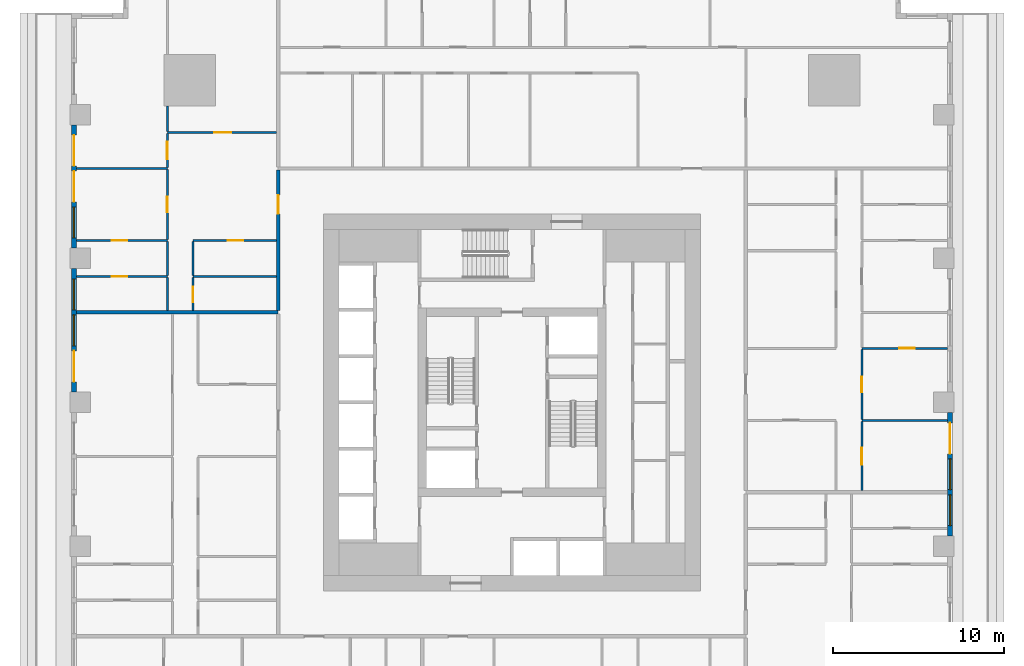
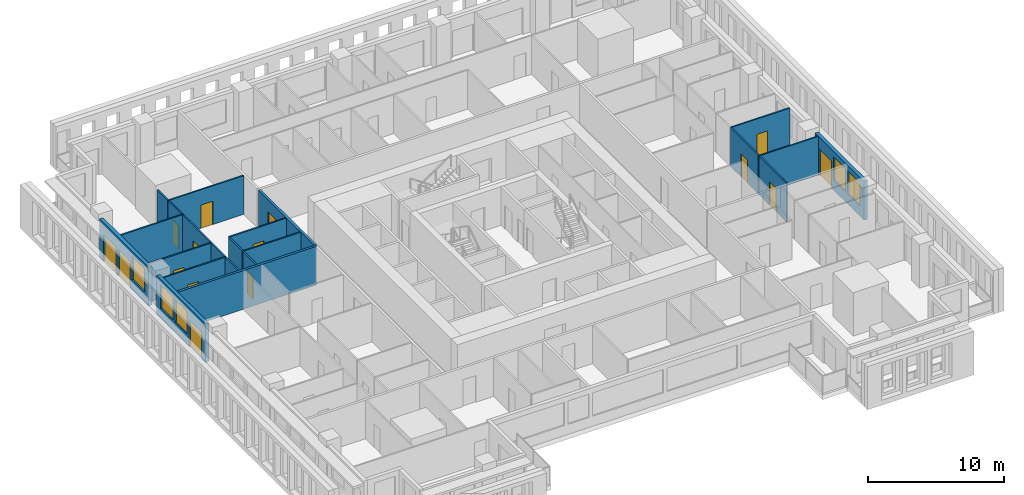
# One storey, part 6 of 14: 22 walls, 15 doors, 5 windows, 20 openings.
"""IFC4 building model written with IfcOpenShell, lengths in metres."""

from ifc_helpers import new_model, si_unit, direction, frame, frame_2d, origin, place, context, subcontext, project, spatial, rectangle, extrude, material, layer, layer_set, type_object, element, fill, save


model = new_model("IFC4")

# Units and contexts
model_context = context("Model", 3, precision=1e-05, world=origin(), true_north=direction((0.0, 1.0)))
body_context = subcontext(model_context, "Body", "Model", "MODEL_VIEW")
ifc_project = project(units=[si_unit("LENGTHUNIT", "METRE"), si_unit("AREAUNIT", "SQUARE_METRE"), si_unit("VOLUMEUNIT", "CUBIC_METRE"), si_unit("PLANEANGLEUNIT", "RADIAN"), si_unit("MASSUNIT", "GRAM", prefix="KILO")], contexts=[model_context])

# Site, building, storey
site_placement = place(None, origin())
site = spatial("IfcSite", under=ifc_project, at=site_placement, CompositionType="ELEMENT")
building_placement = place(site_placement, origin())
building = spatial("IfcBuilding", under=site, at=building_placement, Name="Khepri Terraces", CompositionType="ELEMENT")
storey_placement = place(building_placement, frame((0.0, 0.0, 66.0)))
storey = spatial("IfcBuildingStorey", under=building, at=storey_placement, Name="L15", CompositionType="ELEMENT", Elevation=66.0)

# Wall
ifc_material_1 = material(Name="Fire-rated gypsum plasterboard partition, mineral wool")
ifc_layer_1 = layer(ifc_material_1, 0.199951171875, Name="Fire-rated gypsum plasterboard partition, mineral wool")
ifc_layer_set_1 = layer_set([ifc_layer_1], Name="Fire-rated gypsum plasterboard partition, mineral wool")
wall_type_1 = type_object("IfcWallType", Name="WL-CORR-200", PredefinedType="PARTITIONING", material=ifc_layer_set_1)
wall_1_placement = place(storey_placement, frame((-25.419921875, 5.25, 0.0), z_axis=(0.0, 0.0, 1.0), x_axis=(1.0, 0.0, 0.0)))
element("IfcWall", 1, at=wall_1_placement, inside=storey, type_object=wall_type_1, Name="Partition P-057 L15", PredefinedType="PARTITIONING", context=body_context, shape_type="SweptSolid", body=[
    extrude(rectangle(XDim=11.77001953125, YDim=0.199951171875, at=frame_2d((5.885009765625, 0.0))), origin(), (0.0, 0.0, 1.0), 3.47998046875),
])

# Wall, opening, door
wall_2_placement = place(storey_placement, frame((-13.64990234375, 5.35009765625, 0.0), z_axis=(0.0, 0.0, 1.0), x_axis=(0.0, 1.0, 0.0)))
wall_2 = element("IfcWall", 2, at=wall_2_placement, inside=storey, type_object=wall_type_1, Name="Partition P-062 L15", PredefinedType="PARTITIONING", context=body_context, shape_type="SweptSolid", body=[
    extrude(rectangle(XDim=8.199951171875, YDim=0.199951171875, at=frame_2d((4.10009765625, 0.0))), origin(), (0.0, 0.0, 1.0), 3.47998046875),
])
opening_1_placement = place(wall_2_placement, frame((5.64990234375, 0.0, 0.0)))
opening_1 = element("IfcOpeningElement", 3, at=opening_1_placement, cuts=wall_2, Name="Opening D1", PredefinedType="OPENING", context=body_context, shape_type="SweptSolid", body=[
    extrude(rectangle(XDim=1.10009765625, YDim=2.39990234375, at=frame_2d((0.550048828125, 1.199951171875))), frame((0.0, 0.10986328125, 0.0), z_axis=(0.0, -1.0, 0.0), x_axis=(1.0, 0.0, 0.0)), (0.0, 0.0, 1.0), 0.219970703125),
])
ifc_material_2 = material(Name="Solid-core timber door leaf, flat entrance door", Category="wood")
door_type_1 = type_object("IfcDoorType", Name="DR-ENT-1100", OperationType="NOTDEFINED", PredefinedType="DOOR", material=ifc_material_2)
door_1_placement = place(opening_1_placement, origin())
door_1 = element("IfcDoor", 4, at=door_1_placement, inside=storey, type_object=door_type_1, Name="Flat D1 entrance door", OperationType="SINGLE_SWING_RIGHT", OverallHeight=2.39990234375, OverallWidth=1.10009765625, PredefinedType="DOOR", context=body_context, shape_type="SweptSolid", body=[
    extrude(rectangle(XDim=1.10009765625, YDim=2.39990234375, at=frame_2d((0.550048828125, 1.199951171875))), frame((0.0, 0.02490234375, 0.0), z_axis=(0.0, -1.0, 0.0), x_axis=(1.0, 0.0, 0.0)), (0.0, 0.0, 1.0), 0.050048828125),
])
fill(opening_1, door_1)

# Wall, openings, door, windows
ifc_material_3 = material(Name="Precast concrete C50/60 warm stone", Category="masonry")
ifc_layer_2 = layer(ifc_material_3, 0.300048828125, Name="Precast concrete C50/60 warm stone", Category="masonry")
ifc_layer_set_2 = layer_set([ifc_layer_2], Name="Precast concrete C50/60 warm stone")
wall_type_2 = type_object("IfcWallType", Name="WL-EXT-PRECAST-300", PredefinedType="STANDARD", material=ifc_layer_set_2)
wall_3_placement = place(storey_placement, frame((25.570068359375, -7.800048828125, 0.0), z_axis=(0.0, 0.0, 1.0), x_axis=(0.0, 1.0, 0.0)))
wall_3 = element("IfcWall", 5, at=wall_3_placement, inside=storey, type_object=wall_type_2, Name="External wall L15 E", PredefinedType="STANDARD", context=body_context, shape_type="SweptSolid", body=[
    extrude(rectangle(XDim=7.199951171875, YDim=0.300048828125, at=frame_2d((3.60009765625, 0.0))), origin(), (0.0, 0.0, 1.0), 3.47998046875),
])
opening_2_placement = place(wall_3_placement, frame((0.60009765625, 0.0, 0.89990234375)))
opening_2 = element("IfcOpeningElement", 6, at=opening_2_placement, cuts=wall_3, Name="Opening W1", PredefinedType="OPENING", context=body_context, shape_type="SweptSolid", body=[
    extrude(rectangle(XDim=1.800048828125, YDim=2.10009765625, at=frame_2d((0.89990234375, 1.050048828125))), frame((0.0, 0.16015625, 0.0), z_axis=(0.0, -1.0, 0.0), x_axis=(1.0, 0.0, 0.0)), (0.0, 0.0, 1.0), 0.320068359375),
])
opening_3_placement = place(wall_3_placement, frame((2.699951171875, 0.0, 0.89990234375)))
opening_3 = element("IfcOpeningElement", 7, at=opening_3_placement, cuts=wall_3, Name="Opening W1", PredefinedType="OPENING", context=body_context, shape_type="SweptSolid", body=[
    extrude(rectangle(XDim=1.800048828125, YDim=2.10009765625, at=frame_2d((0.89990234375, 1.050048828125))), frame((0.0, 0.16015625, 0.0), z_axis=(0.0, -1.0, 0.0), x_axis=(1.0, 0.0, 0.0)), (0.0, 0.0, 1.0), 0.320068359375),
])
opening_4_placement = place(wall_3_placement, frame((4.800048828125, 0.0, 0.0)))
opening_4 = element("IfcOpeningElement", 8, at=opening_4_placement, cuts=wall_3, Name="Opening ED-L15-04", PredefinedType="OPENING", context=body_context, shape_type="SweptSolid", body=[
    extrude(rectangle(XDim=1.800048828125, YDim=2.39990234375, at=frame_2d((0.89990234375, 1.199951171875))), frame((0.0, 0.16015625, 0.0), z_axis=(0.0, -1.0, 0.0), x_axis=(1.0, 0.0, 0.0)), (0.0, 0.0, 1.0), 0.320068359375),
])
ifc_material_4 = material(Name="Anodised aluminium bronze glazed door", Category="aluminium")
door_type_2 = type_object("IfcDoorType", Name="DR-BAL-SLIDE-1800x2400", OperationType="NOTDEFINED", PredefinedType="DOOR", material=ifc_material_4)
door_2_placement = place(opening_4_placement, origin())
door_2 = element("IfcDoor", 9, at=door_2_placement, inside=storey, type_object=door_type_2, Name="Balcony door L15 E", OperationType="SLIDING_TO_RIGHT", OverallHeight=2.39990234375, OverallWidth=1.800048828125, PredefinedType="DOOR", context=body_context, shape_type="SweptSolid", body=[
    extrude(rectangle(XDim=1.800048828125, YDim=2.39990234375, at=frame_2d((0.89990234375, 1.199951171875))), frame((0.0, 0.02490234375, 0.0), z_axis=(0.0, -1.0, 0.0), x_axis=(1.0, 0.0, 0.0)), (0.0, 0.0, 1.0), 0.050048828125),
])
fill(opening_4, door_2)
ifc_material_5 = material(Name="Clear glass", Category="glass")
window_type = type_object("IfcWindowType", Name="WIN-RES-1800x2100", PartitioningType="SINGLE_PANEL", PredefinedType="WINDOW", material=ifc_material_5)
window_1_placement = place(opening_2_placement, origin())
window_1 = element("IfcWindow", 10, at=window_1_placement, inside=storey, type_object=window_type, Name="Window L15 E", OverallHeight=2.10009765625, OverallWidth=1.800048828125, PartitioningType="SINGLE_PANEL", PredefinedType="WINDOW", context=body_context, shape_type="SweptSolid", body=[
    extrude(rectangle(XDim=1.800048828125, YDim=2.10009765625, at=frame_2d((0.89990234375, 1.050048828125))), frame((0.0, 0.030029296875, 0.0), z_axis=(0.0, -1.0, 0.0), x_axis=(1.0, 0.0, 0.0)), (0.0, 0.0, 1.0), 0.06005859375),
])
fill(opening_2, window_1)
window_2_placement = place(opening_3_placement, origin())
window_2 = element("IfcWindow", 11, at=window_2_placement, inside=storey, type_object=window_type, Name="Window L15 E", OverallHeight=2.10009765625, OverallWidth=1.800048828125, PartitioningType="SINGLE_PANEL", PredefinedType="WINDOW", context=body_context, shape_type="SweptSolid", body=[
    extrude(rectangle(XDim=1.800048828125, YDim=2.10009765625, at=frame_2d((0.89990234375, 1.050048828125))), frame((0.0, 0.030029296875, 0.0), z_axis=(0.0, -1.0, 0.0), x_axis=(1.0, 0.0, 0.0)), (0.0, 0.0, 1.0), 0.06005859375),
])
fill(opening_3, window_2)

# Wall, openings, doors, window
wall_4_placement = place(storey_placement, frame((-25.570068359375, 16.199951171875, 0.0), z_axis=(0.0, 0.0, 1.0), x_axis=(0.0, -1.0, 0.0)))
wall_4 = element("IfcWall", 12, at=wall_4_placement, inside=storey, type_object=wall_type_2, Name="External wall L15 W", PredefinedType="STANDARD", context=body_context, shape_type="SweptSolid", body=[
    extrude(rectangle(XDim=7.199951171875, YDim=0.300048828125, at=frame_2d((3.60009765625, 0.0))), origin(), (0.0, 0.0, 1.0), 3.47998046875),
])
opening_5_placement = place(wall_4_placement, frame((0.60009765625, 0.0, 0.0)))
opening_5 = element("IfcOpeningElement", 13, at=opening_5_placement, cuts=wall_4, Name="Opening ED-L15-13", PredefinedType="OPENING", context=body_context, shape_type="SweptSolid", body=[
    extrude(rectangle(XDim=1.800048828125, YDim=2.39990234375, at=frame_2d((0.89990234375, 1.199951171875))), frame((0.0, 0.16015625, 0.0), z_axis=(0.0, -1.0, 0.0), x_axis=(1.0, 0.0, 0.0)), (0.0, 0.0, 1.0), 0.320068359375),
])
opening_6_placement = place(wall_4_placement, frame((2.699951171875, 0.0, 0.0)))
opening_6 = element("IfcOpeningElement", 14, at=opening_6_placement, cuts=wall_4, Name="Opening ED-L15-14", PredefinedType="OPENING", context=body_context, shape_type="SweptSolid", body=[
    extrude(rectangle(XDim=1.800048828125, YDim=2.39990234375, at=frame_2d((0.89990234375, 1.199951171875))), frame((0.0, 0.16015625, 0.0), z_axis=(0.0, -1.0, 0.0), x_axis=(1.0, 0.0, 0.0)), (0.0, 0.0, 1.0), 0.320068359375),
])
opening_7_placement = place(wall_4_placement, frame((4.800048828125, 0.0, 0.89990234375)))
opening_7 = element("IfcOpeningElement", 15, at=opening_7_placement, cuts=wall_4, Name="Opening W1", PredefinedType="OPENING", context=body_context, shape_type="SweptSolid", body=[
    extrude(rectangle(XDim=1.800048828125, YDim=2.10009765625, at=frame_2d((0.89990234375, 1.050048828125))), frame((0.0, 0.16015625, 0.0), z_axis=(0.0, -1.0, 0.0), x_axis=(1.0, 0.0, 0.0)), (0.0, 0.0, 1.0), 0.320068359375),
])
door_3_placement = place(opening_5_placement, origin())
door_3 = element("IfcDoor", 16, at=door_3_placement, inside=storey, type_object=door_type_2, Name="Balcony door L15 W", OperationType="SLIDING_TO_LEFT", OverallHeight=2.39990234375, OverallWidth=1.800048828125, PredefinedType="DOOR", context=body_context, shape_type="SweptSolid", body=[
    extrude(rectangle(XDim=1.800048828125, YDim=2.39990234375, at=frame_2d((0.89990234375, 1.199951171875))), frame((0.0, 0.02490234375, 0.0), z_axis=(0.0, -1.0, 0.0), x_axis=(1.0, 0.0, 0.0)), (0.0, 0.0, 1.0), 0.050048828125),
])
fill(opening_5, door_3)
door_4_placement = place(opening_6_placement, origin())
door_4 = element("IfcDoor", 17, at=door_4_placement, inside=storey, type_object=door_type_2, Name="Balcony door L15 W", OperationType="SLIDING_TO_RIGHT", OverallHeight=2.39990234375, OverallWidth=1.800048828125, PredefinedType="DOOR", context=body_context, shape_type="SweptSolid", body=[
    extrude(rectangle(XDim=1.800048828125, YDim=2.39990234375, at=frame_2d((0.89990234375, 1.199951171875))), frame((0.0, 0.02490234375, 0.0), z_axis=(0.0, -1.0, 0.0), x_axis=(1.0, 0.0, 0.0)), (0.0, 0.0, 1.0), 0.050048828125),
])
fill(opening_6, door_4)
window_3_placement = place(opening_7_placement, origin())
window_3 = element("IfcWindow", 18, at=window_3_placement, inside=storey, type_object=window_type, Name="Window L15 W", OverallHeight=2.10009765625, OverallWidth=1.800048828125, PartitioningType="SINGLE_PANEL", PredefinedType="WINDOW", context=body_context, shape_type="SweptSolid", body=[
    extrude(rectangle(XDim=1.800048828125, YDim=2.10009765625, at=frame_2d((0.89990234375, 1.050048828125))), frame((0.0, 0.030029296875, 0.0), z_axis=(0.0, -1.0, 0.0), x_axis=(1.0, 0.0, 0.0)), (0.0, 0.0, 1.0), 0.06005859375),
])
fill(opening_7, window_3)

# Wall, openings, door, windows
wall_5_placement = place(storey_placement, frame((-25.570068359375, 7.800048828125, 0.0), z_axis=(0.0, 0.0, 1.0), x_axis=(0.0, -1.0, 0.0)))
wall_5 = element("IfcWall", 19, at=wall_5_placement, inside=storey, type_object=wall_type_2, Name="External wall L15 W", PredefinedType="STANDARD", context=body_context, shape_type="SweptSolid", body=[
    extrude(rectangle(XDim=7.199951171875, YDim=0.300048828125, at=frame_2d((3.60009765625, 0.0))), origin(), (0.0, 0.0, 1.0), 3.47998046875),
])
opening_8_placement = place(wall_5_placement, frame((0.60009765625, 0.0, 0.89990234375)))
opening_8 = element("IfcOpeningElement", 20, at=opening_8_placement, cuts=wall_5, Name="Opening W1", PredefinedType="OPENING", context=body_context, shape_type="SweptSolid", body=[
    extrude(rectangle(XDim=1.800048828125, YDim=2.10009765625, at=frame_2d((0.89990234375, 1.050048828125))), frame((0.0, 0.16015625, 0.0), z_axis=(0.0, -1.0, 0.0), x_axis=(1.0, 0.0, 0.0)), (0.0, 0.0, 1.0), 0.320068359375),
])
opening_9_placement = place(wall_5_placement, frame((2.699951171875, 0.0, 0.89990234375)))
opening_9 = element("IfcOpeningElement", 21, at=opening_9_placement, cuts=wall_5, Name="Opening W1", PredefinedType="OPENING", context=body_context, shape_type="SweptSolid", body=[
    extrude(rectangle(XDim=1.800048828125, YDim=2.10009765625, at=frame_2d((0.89990234375, 1.050048828125))), frame((0.0, 0.16015625, 0.0), z_axis=(0.0, -1.0, 0.0), x_axis=(1.0, 0.0, 0.0)), (0.0, 0.0, 1.0), 0.320068359375),
])
opening_10_placement = place(wall_5_placement, frame((4.800048828125, 0.0, 0.0)))
opening_10 = element("IfcOpeningElement", 22, at=opening_10_placement, cuts=wall_5, Name="Opening ED-L15-15", PredefinedType="OPENING", context=body_context, shape_type="SweptSolid", body=[
    extrude(rectangle(XDim=1.800048828125, YDim=2.39990234375, at=frame_2d((0.89990234375, 1.199951171875))), frame((0.0, 0.16015625, 0.0), z_axis=(0.0, -1.0, 0.0), x_axis=(1.0, 0.0, 0.0)), (0.0, 0.0, 1.0), 0.320068359375),
])
door_5_placement = place(opening_10_placement, origin())
door_5 = element("IfcDoor", 23, at=door_5_placement, inside=storey, type_object=door_type_2, Name="Balcony door L15 W", OperationType="SLIDING_TO_RIGHT", OverallHeight=2.39990234375, OverallWidth=1.800048828125, PredefinedType="DOOR", context=body_context, shape_type="SweptSolid", body=[
    extrude(rectangle(XDim=1.800048828125, YDim=2.39990234375, at=frame_2d((0.89990234375, 1.199951171875))), frame((0.0, 0.02490234375, 0.0), z_axis=(0.0, -1.0, 0.0), x_axis=(1.0, 0.0, 0.0)), (0.0, 0.0, 1.0), 0.050048828125),
])
fill(opening_10, door_5)
window_4_placement = place(opening_8_placement, origin())
window_4 = element("IfcWindow", 24, at=window_4_placement, inside=storey, type_object=window_type, Name="Window L15 W", OverallHeight=2.10009765625, OverallWidth=1.800048828125, PartitioningType="SINGLE_PANEL", PredefinedType="WINDOW", context=body_context, shape_type="SweptSolid", body=[
    extrude(rectangle(XDim=1.800048828125, YDim=2.10009765625, at=frame_2d((0.89990234375, 1.050048828125))), frame((0.0, 0.030029296875, 0.0), z_axis=(0.0, -1.0, 0.0), x_axis=(1.0, 0.0, 0.0)), (0.0, 0.0, 1.0), 0.06005859375),
])
fill(opening_8, window_4)
window_5_placement = place(opening_9_placement, origin())
window_5 = element("IfcWindow", 25, at=window_5_placement, inside=storey, type_object=window_type, Name="Window L15 W", OverallHeight=2.10009765625, OverallWidth=1.800048828125, PartitioningType="SINGLE_PANEL", PredefinedType="WINDOW", context=body_context, shape_type="SweptSolid", body=[
    extrude(rectangle(XDim=1.800048828125, YDim=2.10009765625, at=frame_2d((0.89990234375, 1.050048828125))), frame((0.0, 0.030029296875, 0.0), z_axis=(0.0, -1.0, 0.0), x_axis=(1.0, 0.0, 0.0)), (0.0, 0.0, 1.0), 0.06005859375),
])
fill(opening_9, window_5)

# Wall, opening, door
ifc_material_6 = material(Name="Gypsum plasterboard partition")
ifc_layer_3 = layer(ifc_material_6, 0.1201171875, Name="Gypsum plasterboard partition")
ifc_layer_set_3 = layer_set([ifc_layer_3], Name="Gypsum plasterboard partition")
wall_type_3 = type_object("IfcWallType", Name="WL-PART-120", PredefinedType="PARTITIONING", material=ifc_layer_set_3)
wall_6_placement = place(storey_placement, frame((20.419921875, -5.14990234375, 0.0), z_axis=(0.0, 0.0, 1.0), x_axis=(0.0, 1.0, 0.0)))
wall_6 = element("IfcWall", 26, at=wall_6_placement, inside=storey, type_object=wall_type_3, Name="Partition P-044 L15", PredefinedType="PARTITIONING", context=body_context, shape_type="SweptSolid", body=[
    extrude(rectangle(XDim=4.039794921875, YDim=0.1201171875, at=frame_2d((2.02001953125, 0.0))), origin(), (0.0, 0.0, 1.0), 3.47998046875),
])
opening_11_placement = place(wall_6_placement, frame((1.5, 0.0, 0.0)))
opening_11 = element("IfcOpeningElement", 27, at=opening_11_placement, cuts=wall_6, Name="Opening D2", PredefinedType="OPENING", context=body_context, shape_type="SweptSolid", body=[
    extrude(rectangle(XDim=1.0, YDim=2.10009765625, at=frame_2d((0.5, 1.050048828125))), frame((0.0, 0.070068359375, 0.0), z_axis=(0.0, -1.0, 0.0), x_axis=(1.0, 0.0, 0.0)), (0.0, 0.0, 1.0), 0.14013671875),
])
ifc_material_7 = material(Name="Timber door leaf, living room door", Category="wood")
door_type_3 = type_object("IfcDoorType", Name="DR-INT-1000", OperationType="NOTDEFINED", PredefinedType="DOOR", material=ifc_material_7)
door_6_placement = place(opening_11_placement, frame((1.0, 0.0, 0.0), z_axis=(0.0, 0.0, 1.0), x_axis=(-1.0, 0.0, 0.0)))
door_6 = element("IfcDoor", 28, at=door_6_placement, inside=storey, type_object=door_type_3, Name="Door Living Room", OperationType="SINGLE_SWING_RIGHT", OverallHeight=2.10009765625, OverallWidth=1.0, PredefinedType="DOOR", context=body_context, shape_type="SweptSolid", body=[
    extrude(rectangle(XDim=1.0, YDim=2.10009765625, at=frame_2d((0.5, 1.050048828125))), frame((0.0, 0.02490234375, 0.0), z_axis=(0.0, -1.0, 0.0), x_axis=(1.0, 0.0, 0.0)), (0.0, 0.0, 1.0), 0.050048828125),
])
fill(opening_11, door_6)

# Wall
wall_7_placement = place(storey_placement, frame((20.419921875, -1.050048828125, 0.0), z_axis=(0.0, 0.0, 1.0), x_axis=(1.0, 0.0, 0.0)))
element("IfcWall", 29, at=wall_7_placement, inside=storey, type_object=wall_type_3, Name="Partition P-049 L15", PredefinedType="PARTITIONING", context=body_context, shape_type="SweptSolid", body=[
    extrude(rectangle(XDim=5.0, YDim=0.1201171875, at=frame_2d((2.5, 0.0))), origin(), (0.0, 0.0, 1.0), 3.47998046875),
])

# Wall, opening, door
wall_8_placement = place(storey_placement, frame((20.419921875, -0.989990234375, 0.0), z_axis=(0.0, 0.0, 1.0), x_axis=(0.0, 1.0, 0.0)))
wall_8 = element("IfcWall", 30, at=wall_8_placement, inside=storey, type_object=wall_type_3, Name="Partition P-050 L15", PredefinedType="PARTITIONING", context=body_context, shape_type="SweptSolid", body=[
    extrude(rectangle(XDim=4.080078125, YDim=0.1201171875, at=frame_2d((2.0400390625, 0.0))), origin(), (0.0, 0.0, 1.0), 3.47998046875),
])
opening_12_placement = place(wall_8_placement, frame((1.590087890625, 0.0, 0.0)))
opening_12 = element("IfcOpeningElement", 31, at=opening_12_placement, cuts=wall_8, Name="Opening D3", PredefinedType="OPENING", context=body_context, shape_type="SweptSolid", body=[
    extrude(rectangle(XDim=0.89990234375, YDim=2.10009765625, at=frame_2d((0.449951171875, 1.050048828125))), frame((0.0, 0.070068359375, 0.0), z_axis=(0.0, -1.0, 0.0), x_axis=(1.0, 0.0, 0.0)), (0.0, 0.0, 1.0), 0.14013671875),
])
ifc_material_8 = material(Name="Timber door leaf", Category="wood")
door_type_4 = type_object("IfcDoorType", Name="DR-INT-900", OperationType="NOTDEFINED", PredefinedType="DOOR", material=ifc_material_8)
door_7_placement = place(opening_12_placement, frame((0.89990234375, 0.0, 0.0), z_axis=(0.0, 0.0, 1.0), x_axis=(-1.0, 0.0, 0.0)))
door_7 = element("IfcDoor", 32, at=door_7_placement, inside=storey, type_object=door_type_4, Name="Door Bedroom", OperationType="SINGLE_SWING_LEFT", OverallHeight=2.10009765625, OverallWidth=0.89990234375, PredefinedType="DOOR", context=body_context, shape_type="SweptSolid", body=[
    extrude(rectangle(XDim=0.89990234375, YDim=2.10009765625, at=frame_2d((0.449951171875, 1.050048828125))), frame((0.0, 0.02490234375, 0.0), z_axis=(0.0, -1.0, 0.0), x_axis=(1.0, 0.0, 0.0)), (0.0, 0.0, 1.0), 0.050048828125),
])
fill(opening_12, door_7)

wall_9_placement = place(storey_placement, frame((20.419921875, 3.14990234375, 0.0), z_axis=(0.0, 0.0, 1.0), x_axis=(1.0, 0.0, 0.0)))
wall_9 = element("IfcWall", 33, at=wall_9_placement, inside=storey, type_object=wall_type_3, Name="Partition P-054 L15", PredefinedType="PARTITIONING", context=body_context, shape_type="SweptSolid", body=[
    extrude(rectangle(XDim=5.0, YDim=0.1201171875, at=frame_2d((2.5, 0.0))), origin(), (0.0, 0.0, 1.0), 3.47998046875),
])
opening_13_placement = place(wall_9_placement, frame((2.199951171875, 0.0, 0.0)))
opening_13 = element("IfcOpeningElement", 34, at=opening_13_placement, cuts=wall_9, Name="Opening D4", PredefinedType="OPENING", context=body_context, shape_type="SweptSolid", body=[
    extrude(rectangle(XDim=0.89990234375, YDim=2.10009765625, at=frame_2d((0.449951171875, 1.050048828125))), frame((0.0, 0.070068359375, 0.0), z_axis=(0.0, -1.0, 0.0), x_axis=(1.0, 0.0, 0.0)), (0.0, 0.0, 1.0), 0.14013671875),
])
ifc_material_9 = material(Name="Timber door leaf, moisture resistant", Category="wood")
door_type_5 = type_object("IfcDoorType", Name="DR-WET-900", OperationType="NOTDEFINED", PredefinedType="DOOR", material=ifc_material_9)
door_8_placement = place(opening_13_placement, origin())
door_8 = element("IfcDoor", 35, at=door_8_placement, inside=storey, type_object=door_type_5, Name="Door Bathroom", OperationType="SINGLE_SWING_RIGHT", OverallHeight=2.10009765625, OverallWidth=0.89990234375, PredefinedType="DOOR", context=body_context, shape_type="SweptSolid", body=[
    extrude(rectangle(XDim=0.89990234375, YDim=2.10009765625, at=frame_2d((0.449951171875, 1.050048828125))), frame((0.0, 0.02490234375, 0.0), z_axis=(0.0, -1.0, 0.0), x_axis=(1.0, 0.0, 0.0)), (0.0, 0.0, 1.0), 0.050048828125),
])
fill(opening_13, door_8)

# Wall
wall_10_placement = place(storey_placement, frame((-20.1201171875, 5.35009765625, 0.0), z_axis=(0.0, 0.0, 1.0), x_axis=(0.0, 1.0, 0.0)))
element("IfcWall", 36, at=wall_10_placement, inside=storey, type_object=wall_type_3, Name="Partition P-060 L15", PredefinedType="PARTITIONING", context=body_context, shape_type="SweptSolid", body=[
    extrude(rectangle(XDim=1.93994140625, YDim=0.1201171875, at=frame_2d((0.969970703125, 0.0))), origin(), (0.0, 0.0, 1.0), 3.47998046875),
])

# Wall, opening, door
wall_11_placement = place(storey_placement, frame((-18.6201171875, 5.35009765625, 0.0), z_axis=(0.0, 0.0, 1.0), x_axis=(0.0, 1.0, 0.0)))
wall_11 = element("IfcWall", 37, at=wall_11_placement, inside=storey, type_object=wall_type_3, Name="Partition P-061 L15", PredefinedType="PARTITIONING", context=body_context, shape_type="SweptSolid", body=[
    extrude(rectangle(XDim=1.93994140625, YDim=0.1201171875, at=frame_2d((0.969970703125, 0.0))), origin(), (0.0, 0.0, 1.0), 3.47998046875),
])
opening_14_placement = place(wall_11_placement, frame((0.5, 0.0, 0.0)))
opening_14 = element("IfcOpeningElement", 38, at=opening_14_placement, cuts=wall_11, Name="Opening D3", PredefinedType="OPENING", context=body_context, shape_type="SweptSolid", body=[
    extrude(rectangle(XDim=0.89990234375, YDim=2.10009765625, at=frame_2d((0.449951171875, 1.050048828125))), frame((0.0, 0.070068359375, 0.0), z_axis=(0.0, -1.0, 0.0), x_axis=(1.0, 0.0, 0.0)), (0.0, 0.0, 1.0), 0.14013671875),
])
door_9_placement = place(opening_14_placement, frame((0.89990234375, 0.0, 0.0), z_axis=(0.0, 0.0, 1.0), x_axis=(-1.0, 0.0, 0.0)))
door_9 = element("IfcDoor", 39, at=door_9_placement, inside=storey, type_object=door_type_4, Name="Door Kitchen", OperationType="SINGLE_SWING_RIGHT", OverallHeight=2.10009765625, OverallWidth=0.89990234375, PredefinedType="DOOR", context=body_context, shape_type="SweptSolid", body=[
    extrude(rectangle(XDim=0.89990234375, YDim=2.10009765625, at=frame_2d((0.449951171875, 1.050048828125))), frame((0.0, 0.02490234375, 0.0), z_axis=(0.0, -1.0, 0.0), x_axis=(1.0, 0.0, 0.0)), (0.0, 0.0, 1.0), 0.050048828125),
])
fill(opening_14, door_9)

wall_12_placement = place(storey_placement, frame((-25.419921875, 7.35009765625, 0.0), z_axis=(0.0, 0.0, 1.0), x_axis=(1.0, 0.0, 0.0)))
wall_12 = element("IfcWall", 40, at=wall_12_placement, inside=storey, type_object=wall_type_3, Name="Partition P-063 L15", PredefinedType="PARTITIONING", context=body_context, shape_type="SweptSolid", body=[
    extrude(rectangle(XDim=5.2998046875, YDim=0.1201171875, at=frame_2d((2.64990234375, 0.0))), origin(), (0.0, 0.0, 1.0), 3.47998046875),
])
opening_15_placement = place(wall_12_placement, frame((2.050048828125, 0.0, 0.0)))
opening_15 = element("IfcOpeningElement", 41, at=opening_15_placement, cuts=wall_12, Name="Opening D4", PredefinedType="OPENING", context=body_context, shape_type="SweptSolid", body=[
    extrude(rectangle(XDim=0.89990234375, YDim=2.10009765625, at=frame_2d((0.449951171875, 1.050048828125))), frame((0.0, 0.070068359375, 0.0), z_axis=(0.0, -1.0, 0.0), x_axis=(1.0, 0.0, 0.0)), (0.0, 0.0, 1.0), 0.14013671875),
])
door_10_placement = place(opening_15_placement, frame((0.89990234375, 0.0, 0.0), z_axis=(0.0, 0.0, 1.0), x_axis=(-1.0, 0.0, 0.0)))
door_10 = element("IfcDoor", 42, at=door_10_placement, inside=storey, type_object=door_type_5, Name="Door Bathroom", OperationType="SINGLE_SWING_RIGHT", OverallHeight=2.10009765625, OverallWidth=0.89990234375, PredefinedType="DOOR", context=body_context, shape_type="SweptSolid", body=[
    extrude(rectangle(XDim=0.89990234375, YDim=2.10009765625, at=frame_2d((0.449951171875, 1.050048828125))), frame((0.0, 0.02490234375, 0.0), z_axis=(0.0, -1.0, 0.0), x_axis=(1.0, 0.0, 0.0)), (0.0, 0.0, 1.0), 0.050048828125),
])
fill(opening_15, door_10)

# Walls
wall_13_placement = place(storey_placement, frame((-18.6201171875, 7.35009765625, 0.0), z_axis=(0.0, 0.0, 1.0), x_axis=(1.0, 0.0, 0.0)))
element("IfcWall", 43, at=wall_13_placement, inside=storey, type_object=wall_type_3, Name="Partition P-064 L15", PredefinedType="PARTITIONING", context=body_context, shape_type="SweptSolid", body=[
    extrude(rectangle(XDim=4.8701171875, YDim=0.1201171875, at=frame_2d((2.43505859375, 0.0))), origin(), (0.0, 0.0, 1.0), 3.47998046875),
])
for number, where, z_axis, x_axis, name in (
    (44, (-20.1201171875, 7.409912109375, 0.0), (0.0, 0.0, 1.0), (0.0, 1.0, 0.0), "Partition P-065 L15"),
    (45, (-18.6201171875, 7.409912109375, 0.0), (0.0, 0.0, 1.0), (0.0, 1.0, 0.0), "Partition P-066 L15"),
):
    element("IfcWall", number, at=place(storey_placement, frame(where, z_axis=z_axis, x_axis=x_axis)), inside=storey, type_object=wall_type_3, Name=name, PredefinedType="PARTITIONING", context=body_context, shape_type="SweptSolid", body=[
        extrude(rectangle(XDim=1.97998046875, YDim=0.1201171875, at=frame_2d((0.989990234375, 0.0))), origin(), (0.0, 0.0, 1.0), 3.47998046875),
    ])

# Wall, opening, door
wall_14_placement = place(storey_placement, frame((-25.419921875, 9.449951171875, 0.0), z_axis=(0.0, 0.0, 1.0), x_axis=(1.0, 0.0, 0.0)))
wall_14 = element("IfcWall", 46, at=wall_14_placement, inside=storey, type_object=wall_type_3, Name="Partition P-069 L15", PredefinedType="PARTITIONING", context=body_context, shape_type="SweptSolid", body=[
    extrude(rectangle(XDim=5.2998046875, YDim=0.1201171875, at=frame_2d((2.64990234375, 0.0))), origin(), (0.0, 0.0, 1.0), 3.47998046875),
])
opening_16_placement = place(wall_14_placement, frame((2.050048828125, 0.0, 0.0)))
opening_16 = element("IfcOpeningElement", 47, at=opening_16_placement, cuts=wall_14, Name="Opening D3", PredefinedType="OPENING", context=body_context, shape_type="SweptSolid", body=[
    extrude(rectangle(XDim=0.89990234375, YDim=2.10009765625, at=frame_2d((0.449951171875, 1.050048828125))), frame((0.0, 0.070068359375, 0.0), z_axis=(0.0, -1.0, 0.0), x_axis=(1.0, 0.0, 0.0)), (0.0, 0.0, 1.0), 0.14013671875),
])
door_11_placement = place(opening_16_placement, frame((0.89990234375, 0.0, 0.0), z_axis=(0.0, 0.0, 1.0), x_axis=(-1.0, 0.0, 0.0)))
door_11 = element("IfcDoor", 48, at=door_11_placement, inside=storey, type_object=door_type_4, Name="Door Dressing Room", OperationType="SINGLE_SWING_RIGHT", OverallHeight=2.10009765625, OverallWidth=0.89990234375, PredefinedType="DOOR", context=body_context, shape_type="SweptSolid", body=[
    extrude(rectangle(XDim=0.89990234375, YDim=2.10009765625, at=frame_2d((0.449951171875, 1.050048828125))), frame((0.0, 0.02490234375, 0.0), z_axis=(0.0, -1.0, 0.0), x_axis=(1.0, 0.0, 0.0)), (0.0, 0.0, 1.0), 0.050048828125),
])
fill(opening_16, door_11)

wall_15_placement = place(storey_placement, frame((-18.6201171875, 9.449951171875, 0.0), z_axis=(0.0, 0.0, 1.0), x_axis=(1.0, 0.0, 0.0)))
wall_15 = element("IfcWall", 49, at=wall_15_placement, inside=storey, type_object=wall_type_3, Name="Partition P-070 L15", PredefinedType="PARTITIONING", context=body_context, shape_type="SweptSolid", body=[
    extrude(rectangle(XDim=4.8701171875, YDim=0.1201171875, at=frame_2d((2.43505859375, 0.0))), origin(), (0.0, 0.0, 1.0), 3.47998046875),
])
opening_17_placement = place(wall_15_placement, frame((2.034912109375, 0.0, 0.0)))
opening_17 = element("IfcOpeningElement", 50, at=opening_17_placement, cuts=wall_15, Name="Opening D4", PredefinedType="OPENING", context=body_context, shape_type="SweptSolid", body=[
    extrude(rectangle(XDim=0.89990234375, YDim=2.10009765625, at=frame_2d((0.449951171875, 1.050048828125))), frame((0.0, 0.070068359375, 0.0), z_axis=(0.0, -1.0, 0.0), x_axis=(1.0, 0.0, 0.0)), (0.0, 0.0, 1.0), 0.14013671875),
])
door_12_placement = place(opening_17_placement, frame((0.89990234375, 0.0, 0.0), z_axis=(0.0, 0.0, 1.0), x_axis=(-1.0, 0.0, 0.0)))
door_12 = element("IfcDoor", 51, at=door_12_placement, inside=storey, type_object=door_type_5, Name="Door Guest Bathroom", OperationType="SINGLE_SWING_LEFT", OverallHeight=2.10009765625, OverallWidth=0.89990234375, PredefinedType="DOOR", context=body_context, shape_type="SweptSolid", body=[
    extrude(rectangle(XDim=0.89990234375, YDim=2.10009765625, at=frame_2d((0.449951171875, 1.050048828125))), frame((0.0, 0.02490234375, 0.0), z_axis=(0.0, -1.0, 0.0), x_axis=(1.0, 0.0, 0.0)), (0.0, 0.0, 1.0), 0.050048828125),
])
fill(opening_17, door_12)

wall_16_placement = place(storey_placement, frame((-20.1201171875, 9.510009765625, 0.0), z_axis=(0.0, 0.0, 1.0), x_axis=(0.0, 1.0, 0.0)))
wall_16 = element("IfcWall", 52, at=wall_16_placement, inside=storey, type_object=wall_type_3, Name="Partition P-072 L15", PredefinedType="PARTITIONING", context=body_context, shape_type="SweptSolid", body=[
    extrude(rectangle(XDim=4.080078125, YDim=0.1201171875, at=frame_2d((2.0400390625, 0.0))), origin(), (0.0, 0.0, 1.0), 3.47998046875),
])
opening_18_placement = place(wall_16_placement, frame((1.590087890625, 0.0, 0.0)))
opening_18 = element("IfcOpeningElement", 53, at=opening_18_placement, cuts=wall_16, Name="Opening D3", PredefinedType="OPENING", context=body_context, shape_type="SweptSolid", body=[
    extrude(rectangle(XDim=0.89990234375, YDim=2.10009765625, at=frame_2d((0.449951171875, 1.050048828125))), frame((0.0, 0.070068359375, 0.0), z_axis=(0.0, -1.0, 0.0), x_axis=(1.0, 0.0, 0.0)), (0.0, 0.0, 1.0), 0.14013671875),
])
door_13_placement = place(opening_18_placement, origin())
door_13 = element("IfcDoor", 54, at=door_13_placement, inside=storey, type_object=door_type_4, Name="Door Master Bedroom", OperationType="SINGLE_SWING_RIGHT", OverallHeight=2.10009765625, OverallWidth=0.89990234375, PredefinedType="DOOR", context=body_context, shape_type="SweptSolid", body=[
    extrude(rectangle(XDim=0.89990234375, YDim=2.10009765625, at=frame_2d((0.449951171875, 1.050048828125))), frame((0.0, 0.02490234375, 0.0), z_axis=(0.0, -1.0, 0.0), x_axis=(1.0, 0.0, 0.0)), (0.0, 0.0, 1.0), 0.050048828125),
])
fill(opening_18, door_13)

# Wall
wall_17_placement = place(storey_placement, frame((-25.419921875, 13.64990234375, 0.0), z_axis=(0.0, 0.0, 1.0), x_axis=(1.0, 0.0, 0.0)))
element("IfcWall", 55, at=wall_17_placement, inside=storey, type_object=wall_type_3, Name="Partition P-078 L15", PredefinedType="PARTITIONING", context=body_context, shape_type="SweptSolid", body=[
    extrude(rectangle(XDim=5.2998046875, YDim=0.1201171875, at=frame_2d((2.64990234375, 0.0))), origin(), (0.0, 0.0, 1.0), 3.47998046875),
])

# Wall, opening, door
wall_18_placement = place(storey_placement, frame((-20.1201171875, 13.7099609375, 0.0), z_axis=(0.0, 0.0, 1.0), x_axis=(0.0, 1.0, 0.0)))
wall_18 = element("IfcWall", 56, at=wall_18_placement, inside=storey, type_object=wall_type_3, Name="Partition P-080 L15", PredefinedType="PARTITIONING", context=body_context, shape_type="SweptSolid", body=[
    extrude(rectangle(XDim=1.97998046875, YDim=0.1201171875, at=frame_2d((0.989990234375, 0.0))), origin(), (0.0, 0.0, 1.0), 3.47998046875),
])
opening_19_placement = place(wall_18_placement, frame((0.489990234375, 0.0, 0.0)))
opening_19 = element("IfcOpeningElement", 57, at=opening_19_placement, cuts=wall_18, Name="Opening D2", PredefinedType="OPENING", context=body_context, shape_type="SweptSolid", body=[
    extrude(rectangle(XDim=1.0, YDim=2.10009765625, at=frame_2d((0.5, 1.050048828125))), frame((0.0, 0.070068359375, 0.0), z_axis=(0.0, -1.0, 0.0), x_axis=(1.0, 0.0, 0.0)), (0.0, 0.0, 1.0), 0.14013671875),
])
door_14_placement = place(opening_19_placement, origin())
door_14 = element("IfcDoor", 58, at=door_14_placement, inside=storey, type_object=door_type_3, Name="Door Living Room", OperationType="SINGLE_SWING_LEFT", OverallHeight=2.10009765625, OverallWidth=1.0, PredefinedType="DOOR", context=body_context, shape_type="SweptSolid", body=[
    extrude(rectangle(XDim=1.0, YDim=2.10009765625, at=frame_2d((0.5, 1.050048828125))), frame((0.0, 0.02490234375, 0.0), z_axis=(0.0, -1.0, 0.0), x_axis=(1.0, 0.0, 0.0)), (0.0, 0.0, 1.0), 0.050048828125),
])
fill(opening_19, door_14)

wall_19_placement = place(storey_placement, frame((-20.1201171875, 15.75, 0.0), z_axis=(0.0, 0.0, 1.0), x_axis=(1.0, 0.0, 0.0)))
wall_19 = element("IfcWall", 59, at=wall_19_placement, inside=storey, type_object=wall_type_3, Name="Partition P-089 L15", PredefinedType="PARTITIONING", context=body_context, shape_type="SweptSolid", body=[
    extrude(rectangle(XDim=6.3701171875, YDim=0.1201171875, at=frame_2d((3.18505859375, 0.0))), origin(), (0.0, 0.0, 1.0), 3.47998046875),
])
opening_20_placement = place(wall_19_placement, frame((2.735107421875, 0.0, 0.0)))
opening_20 = element("IfcOpeningElement", 60, at=opening_20_placement, cuts=wall_19, Name="Opening D2", PredefinedType="OPENING", context=body_context, shape_type="SweptSolid", body=[
    extrude(rectangle(XDim=1.0, YDim=2.10009765625, at=frame_2d((0.5, 1.050048828125))), frame((0.0, 0.070068359375, 0.0), z_axis=(0.0, -1.0, 0.0), x_axis=(1.0, 0.0, 0.0)), (0.0, 0.0, 1.0), 0.14013671875),
])
door_15_placement = place(opening_20_placement, origin())
door_15 = element("IfcDoor", 61, at=door_15_placement, inside=storey, type_object=door_type_3, Name="Door Family Room", OperationType="SINGLE_SWING_RIGHT", OverallHeight=2.10009765625, OverallWidth=1.0, PredefinedType="DOOR", context=body_context, shape_type="SweptSolid", body=[
    extrude(rectangle(XDim=1.0, YDim=2.10009765625, at=frame_2d((0.5, 1.050048828125))), frame((0.0, 0.02490234375, 0.0), z_axis=(0.0, -1.0, 0.0), x_axis=(1.0, 0.0, 0.0)), (0.0, 0.0, 1.0), 0.050048828125),
])
fill(opening_20, door_15)

# Wall
wall_20_placement = place(storey_placement, frame((-20.1201171875, 15.81005859375, 0.0), z_axis=(0.0, 0.0, 1.0), x_axis=(0.0, 1.0, 0.0)))
element("IfcWall", 62, at=wall_20_placement, inside=storey, type_object=wall_type_3, Name="Partition P-090 L15", PredefinedType="PARTITIONING", context=body_context, shape_type="SweptSolid", body=[
    extrude(rectangle(XDim=1.489990234375, YDim=0.1201171875, at=frame_2d((0.7451171875, 0.0))), origin(), (0.0, 0.0, 1.0), 3.47998046875),
])

save(model, "model.ifc")
